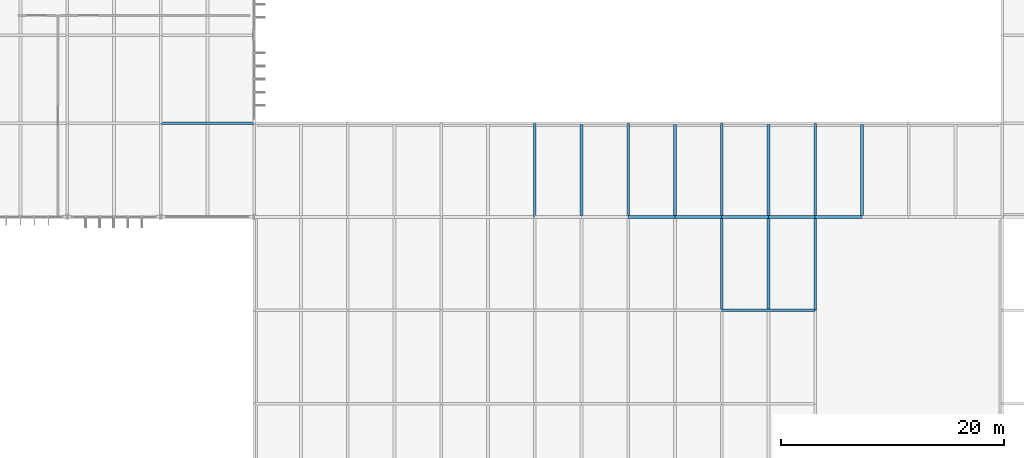
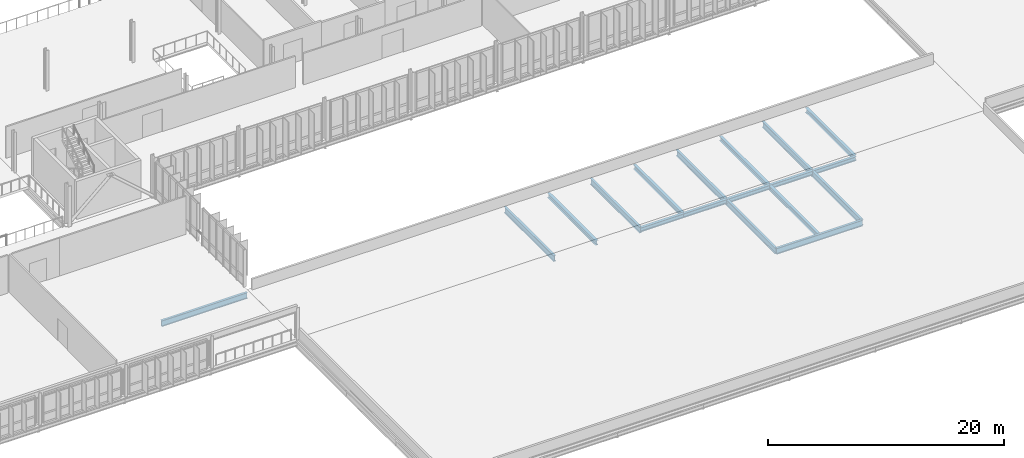
# One storey, part 27 of 107: 18 beams.
"""IFC4 building model written with IfcOpenShell, lengths in metres."""

from ifc_helpers import new_model, si_unit, derived_unit, direction, frame, origin, origin_2d, place, context, subcontext, project, spatial, i_section, extrude, material, material_profile, profile_set, type_object, element, save


model = new_model("IFC4")

# Units and contexts
model_context = context("Model", 3, precision=1e-05, world=origin(), true_north=direction((0.0, 1.0)))
body_context = subcontext(model_context, "Body", "Model", "MODEL_VIEW")
ifc_project = project(units=[si_unit("LENGTHUNIT", "METRE"), si_unit("AREAUNIT", "SQUARE_METRE"), si_unit("VOLUMEUNIT", "CUBIC_METRE"), si_unit("PLANEANGLEUNIT", "RADIAN"), si_unit("MASSUNIT", "GRAM", prefix="KILO"), derived_unit("THERMALTRANSMITTANCEUNIT", [(si_unit("MASSUNIT", "GRAM", prefix="KILO"), 1), (si_unit("TIMEUNIT", "SECOND"), -3), (si_unit("THERMODYNAMICTEMPERATUREUNIT", "KELVIN"), -1)])], contexts=[model_context])

# Site, building, storey
site_placement = place(None, origin())
site = spatial("IfcSite", under=ifc_project, at=site_placement, CompositionType="ELEMENT")
building_placement = place(site_placement, origin())
building = spatial("IfcBuilding", under=site, at=building_placement, Name="Makaiwela Harbour Ferry Terminal", CompositionType="ELEMENT")
storey_placement = place(building_placement, frame((0.0, 0.0, 9.60009765625)))
storey = spatial("IfcBuildingStorey", under=building, at=storey_placement, Name="L02", CompositionType="ELEMENT", Elevation=9.60009765625)

# Beams
ifc_material = material(Name="Steel ASTM A992 Grade 50", Category="steel")
ifc_material_profile_1 = material_profile(ifc_material, i_section(OverallWidth=0.280029296875, OverallDepth=0.462890625, WebThickness=0.0107421875, FlangeThickness=0.017333984375, at=origin_2d()), Name="W18X76")
ifc_profile_set_1 = profile_set([ifc_material_profile_1], Name="Steel ASTM A992 Grade 50")
beam_type_1 = type_object("IfcBeamType", Name="STR-BM-W18X76", PredefinedType="BEAM", material=ifc_profile_set_1)
for number, where, z_axis, x_axis, name in (
    (1, (100.800048828125, 25.314453125, -0.4716796875), (0.0, 1.0, 0.0), (-1.0, 0.0, 0.0), "Secondary floor beam 1495"),
    (2, (109.199951171875, 25.314453125, -0.4716796875), (0.0, 1.0, 0.0), (-1.0, 0.0, 0.0), "Secondary floor beam 1502"),
    (3, (117.60009765625, 16.896484375, -0.4716796875), (0.0, 1.0, 0.0), (-1.0, 0.0, 0.0), "Secondary floor beam 1508"),
    (4, (117.60009765625, 25.314453125, -0.4716796875), (0.0, 1.0, 0.0), (-1.0, 0.0, 0.0), "Secondary floor beam 1509"),
    (5, (126.0, 25.314453125, -0.4716796875), (0.0, 1.0, 0.0), (-1.0, 0.0, 0.0), "Secondary floor beam 1513"),
):
    element("IfcBeam", number, at=place(storey_placement, frame(where, z_axis=z_axis, x_axis=x_axis)), inside=storey, type_object=beam_type_1, Name=name, PredefinedType="BEAM", context=body_context, shape_type="SweptSolid", body=[
        extrude(i_section(OverallWidth=0.280029296875, OverallDepth=0.462890625, WebThickness=0.0107421875, FlangeThickness=0.017333984375, at=origin_2d()), origin(), (0.0, 0.0, 1.0), 8.18896484375),
    ])
ifc_material_profile_2 = material_profile(ifc_material, i_section(OverallWidth=0.22900390625, OverallDepth=0.612060546875, WebThickness=0.011962890625, FlangeThickness=0.01953125, at=origin_2d()), Name="W24X84")
ifc_profile_set_2 = profile_set([ifc_material_profile_2], Name="Steel ASTM A992 Grade 50")
beam_type_2 = type_object("IfcBeamType", Name="STR-GRD-W24X84", PredefinedType="USERDEFINED", material=ifc_profile_set_2)
beam_1_placement = place(storey_placement, frame((113.39990234375, 16.800048828125, -0.546142578125), z_axis=(1.0, 0.0, 0.0), x_axis=(0.0, 1.0, 0.0)))
element("IfcBeam", 6, at=beam_1_placement, inside=storey, type_object=beam_type_2, Name="Primary X girder 1220", ObjectType="GIRDER", PredefinedType="USERDEFINED", context=body_context, shape_type="SweptSolid", body=[
    extrude(i_section(OverallWidth=0.22900390625, OverallDepth=0.612060546875, WebThickness=0.011962890625, FlangeThickness=0.01953125, at=origin_2d()), origin(), (0.0, 0.0, 1.0), 8.400146484375),
])
beam_2_placement = place(storey_placement, frame((63.0, 33.60009765625, -0.566162109375), z_axis=(1.0, 0.0, 0.0), x_axis=(0.0, 1.0, 0.0)))
element("IfcBeam", 7, at=beam_2_placement, inside=storey, type_object=beam_type_2, Name="Primary X girder 1249", ObjectType="GIRDER", PredefinedType="USERDEFINED", context=body_context, shape_type="SweptSolid", body=[
    extrude(i_section(OverallWidth=0.22900390625, OverallDepth=0.612060546875, WebThickness=0.011962890625, FlangeThickness=0.01953125, at=origin_2d()), origin(), (0.0, 0.0, 1.0), 8.39990234375),
])
for number, where, z_axis, x_axis, name in (
    (8, (96.60009765625, 25.199951171875, -0.546142578125), (0.0, 1.0, 0.0), (-1.0, 0.0, 0.0), "Primary Y girder 1390"),
    (9, (105.0, 25.199951171875, -0.546142578125), (0.0, 1.0, 0.0), (-1.0, 0.0, 0.0), "Primary Y girder 1397"),
):
    element("IfcBeam", number, at=place(storey_placement, frame(where, z_axis=z_axis, x_axis=x_axis)), inside=storey, type_object=beam_type_2, Name=name, ObjectType="GIRDER", PredefinedType="USERDEFINED", context=body_context, shape_type="SweptSolid", body=[
        extrude(i_section(OverallWidth=0.22900390625, OverallDepth=0.612060546875, WebThickness=0.011962890625, FlangeThickness=0.01953125, at=origin_2d()), origin(), (0.0, 0.0, 1.0), 8.400146484375),
    ])
beam_3_placement = place(storey_placement, frame((113.39990234375, 16.800048828125, -0.546142578125), z_axis=(0.0, 1.0, 0.0), x_axis=(-1.0, 0.0, 0.0)))
element("IfcBeam", 10, at=beam_3_placement, inside=storey, type_object=beam_type_2, Name="Primary Y girder 1403", ObjectType="GIRDER", PredefinedType="USERDEFINED", context=body_context, shape_type="SweptSolid", body=[
    extrude(i_section(OverallWidth=0.22900390625, OverallDepth=0.612060546875, WebThickness=0.011962890625, FlangeThickness=0.01953125, at=origin_2d()), origin(), (0.0, 0.0, 1.0), 8.39990234375),
])
beam_4_placement = place(storey_placement, frame((113.39990234375, 25.199951171875, -0.546142578125), z_axis=(0.0, 1.0, 0.0), x_axis=(-1.0, 0.0, 0.0)))
element("IfcBeam", 11, at=beam_4_placement, inside=storey, type_object=beam_type_2, Name="Primary Y girder 1404", ObjectType="GIRDER", PredefinedType="USERDEFINED", context=body_context, shape_type="SweptSolid", body=[
    extrude(i_section(OverallWidth=0.22900390625, OverallDepth=0.612060546875, WebThickness=0.011962890625, FlangeThickness=0.01953125, at=origin_2d()), origin(), (0.0, 0.0, 1.0), 8.400146484375),
])
beam_5_placement = place(storey_placement, frame((121.800048828125, 16.800048828125, -0.546142578125), z_axis=(0.0, 1.0, 0.0), x_axis=(-1.0, 0.0, 0.0)))
element("IfcBeam", 12, at=beam_5_placement, inside=storey, type_object=beam_type_2, Name="Primary Y girder 1410", ObjectType="GIRDER", PredefinedType="USERDEFINED", context=body_context, shape_type="SweptSolid", body=[
    extrude(i_section(OverallWidth=0.22900390625, OverallDepth=0.612060546875, WebThickness=0.011962890625, FlangeThickness=0.01953125, at=origin_2d()), origin(), (0.0, 0.0, 1.0), 8.39990234375),
])
beam_6_placement = place(storey_placement, frame((121.800048828125, 25.199951171875, -0.546142578125), z_axis=(0.0, 1.0, 0.0), x_axis=(-1.0, 0.0, 0.0)))
element("IfcBeam", 13, at=beam_6_placement, inside=storey, type_object=beam_type_2, Name="Primary Y girder 1411", ObjectType="GIRDER", PredefinedType="USERDEFINED", context=body_context, shape_type="SweptSolid", body=[
    extrude(i_section(OverallWidth=0.22900390625, OverallDepth=0.612060546875, WebThickness=0.011962890625, FlangeThickness=0.01953125, at=origin_2d()), origin(), (0.0, 0.0, 1.0), 8.400146484375),
])
ifc_material_profile_3 = material_profile(ifc_material, i_section(OverallWidth=0.264892578125, OverallDepth=0.430908203125, WebThickness=0.014892578125, FlangeThickness=0.02490234375, at=origin_2d()), Name="W16X100")
ifc_profile_set_3 = profile_set([ifc_material_profile_3], Name="Steel ASTM A992 Grade 50")
beam_type_3 = type_object("IfcBeamType", Name="STR-SPN-W16X100", PredefinedType="SPANDREL", material=ifc_profile_set_3)
for number, where, z_axis, x_axis, name in (
    (14, (105.0, 25.199951171875, -0.45556640625), (1.0, 0.0, 0.0), (0.0, 1.0, 0.0), "Primary X girder 1235"),
    (15, (109.199951171875, 25.199951171875, -0.45556640625), (1.0, 0.0, 0.0), (0.0, 1.0, 0.0), "Primary X girder 1236"),
):
    element("IfcBeam", number, at=place(storey_placement, frame(where, z_axis=z_axis, x_axis=x_axis)), inside=storey, type_object=beam_type_3, Name=name, PredefinedType="SPANDREL", context=body_context, shape_type="SweptSolid", body=[
        extrude(i_section(OverallWidth=0.264892578125, OverallDepth=0.430908203125, WebThickness=0.014892578125, FlangeThickness=0.02490234375, at=origin_2d()), origin(), (0.0, 0.0, 1.0), 4.199951171875),
    ])
beam_7_placement = place(storey_placement, frame((113.39990234375, 25.199951171875, -0.45556640625), z_axis=(1.0, 0.0, 0.0), x_axis=(0.0, 1.0, 0.0)))
element("IfcBeam", 16, at=beam_7_placement, inside=storey, type_object=beam_type_3, Name="Primary X girder 1237", PredefinedType="SPANDREL", context=body_context, shape_type="SweptSolid", body=[
    extrude(i_section(OverallWidth=0.264892578125, OverallDepth=0.430908203125, WebThickness=0.014892578125, FlangeThickness=0.02490234375, at=origin_2d()), origin(), (0.0, 0.0, 1.0), 4.2001953125),
])
for number, where, z_axis, x_axis, name in (
    (17, (117.60009765625, 25.199951171875, -0.45556640625), (1.0, 0.0, 0.0), (0.0, 1.0, 0.0), "Primary X girder 1238"),
    (18, (121.800048828125, 25.199951171875, -0.45556640625), (1.0, 0.0, 0.0), (0.0, 1.0, 0.0), "Primary X girder 1239"),
):
    element("IfcBeam", number, at=place(storey_placement, frame(where, z_axis=z_axis, x_axis=x_axis)), inside=storey, type_object=beam_type_3, Name=name, PredefinedType="SPANDREL", context=body_context, shape_type="SweptSolid", body=[
        extrude(i_section(OverallWidth=0.264892578125, OverallDepth=0.430908203125, WebThickness=0.014892578125, FlangeThickness=0.02490234375, at=origin_2d()), origin(), (0.0, 0.0, 1.0), 4.199951171875),
    ])

save(model, "model.ifc")
